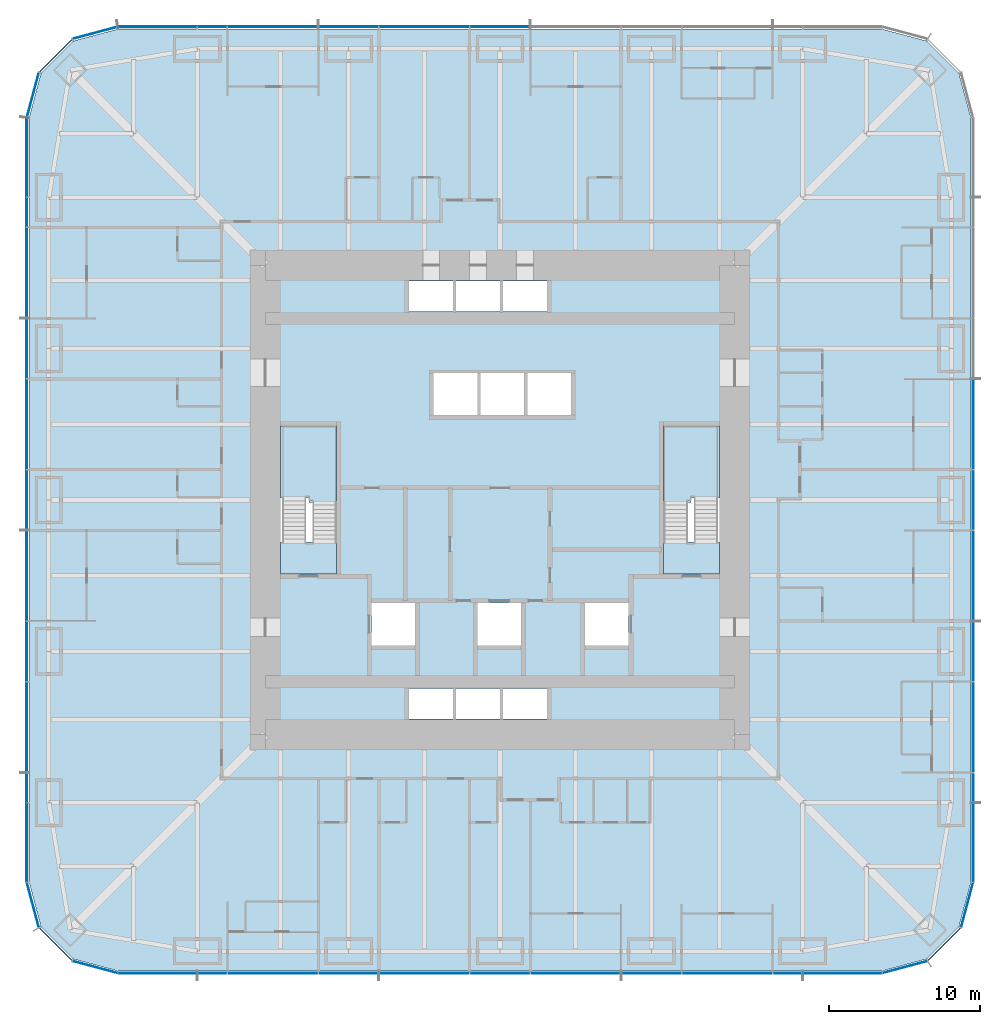
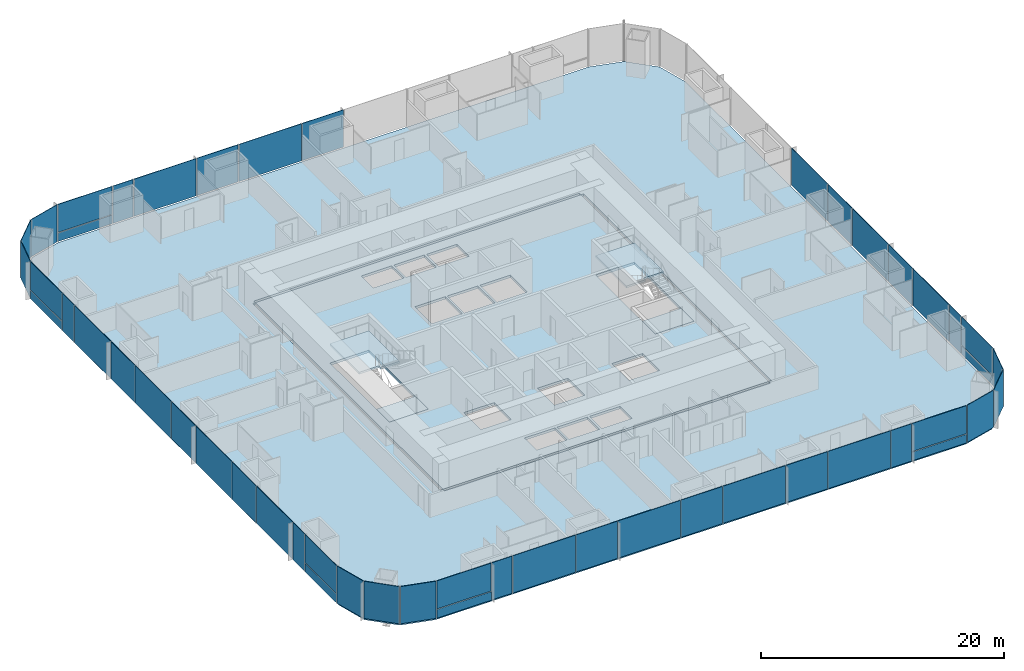
# One storey, part 10 of 16: 50 plates, 6 slabs, 9 elements without a shape of their own.
"""IFC4 building model written with IfcOpenShell, lengths in metres."""

from ifc_helpers import new_model, si_unit, direction, frame, origin, origin_2d, place, context, subcontext, project, spatial, polyline, rectangle, outline, extrude, material, layer, layer_set, type_object, element, aggregate, save


model = new_model("IFC4")

# Units and contexts
model_context = context("Model", 3, precision=1e-05, world=origin(), true_north=direction((0.0, 1.0)))
body_context = subcontext(model_context, "Body", "Model", "MODEL_VIEW")
ifc_project = project(units=[si_unit("LENGTHUNIT", "METRE"), si_unit("AREAUNIT", "SQUARE_METRE"), si_unit("VOLUMEUNIT", "CUBIC_METRE"), si_unit("PLANEANGLEUNIT", "RADIAN"), si_unit("MASSUNIT", "GRAM", prefix="KILO")], contexts=[model_context])

# Site, building, storey
site_placement = place(None, origin())
site = spatial("IfcSite", under=ifc_project, at=site_placement, CompositionType="ELEMENT")
building_placement = place(site_placement, origin())
building = spatial("IfcBuilding", under=site, at=building_placement, Name="Khuree Lantern Residences", CompositionType="ELEMENT")
storey_placement = place(building_placement, frame((0.0, 0.0, 69.75)))
storey = spatial("IfcBuildingStorey", under=building, at=storey_placement, Name="L17", CompositionType="ELEMENT", Elevation=69.75)

# Slab
ifc_material_1 = material(Name="Concrete C35/45", Category="concrete")
ifc_layer_1 = layer(ifc_material_1, 0.25)
ifc_layer_set_1 = layer_set([ifc_layer_1], Name="CFL250 CORE FLOOR SLAB 250")
slab_type_1 = type_object("IfcSlabType", Name="CFL250 CORE FLOOR SLAB 250", PredefinedType="FLOOR", material=ifc_layer_set_1)
slab_1_placement = place(storey_placement, frame((0.0, 0.0, -0.25)))
element("IfcSlab", 1, at=slab_1_placement, inside=storey, type_object=slab_type_1, Name="Core floor L17", PredefinedType="FLOOR", context=body_context, shape_type="SweptSolid", body=[
    extrude(outline(polyline([(-15.5, -15.5), (-15.5, 15.5), (15.5, 15.5), (15.5, -15.5), (-15.5, -15.5)]), holes=[polyline([(14.5, 4.89990234375), (10.800048828125, 4.89990234375), (10.800048828125, -4.89990234375), (14.5, -4.89990234375), (14.5, 4.89990234375)]), polyline([(8.5, -6.800048828125), (5.60009765625, -6.800048828125), (5.60009765625, -9.60009765625), (8.5, -9.60009765625), (8.5, -6.800048828125)]), polyline([(4.699951171875, 8.39990234375), (1.800048828125, 8.39990234375), (1.800048828125, 5.60009765625), (4.699951171875, 5.60009765625), (4.699951171875, 8.39990234375)]), polyline([(0.199951171875, -12.449951171875), (0.199951171875, -14.449951171875), (3.10009765625, -14.449951171875), (3.10009765625, -12.449951171875), (0.199951171875, -12.449951171875)]), polyline([(3.10009765625, 14.449951171875), (0.199951171875, 14.449951171875), (0.199951171875, 12.449951171875), (3.10009765625, 12.449951171875), (3.10009765625, 14.449951171875)]), polyline([(1.60009765625, 8.39990234375), (-1.300048828125, 8.39990234375), (-1.300048828125, 5.60009765625), (1.60009765625, 5.60009765625), (1.60009765625, 8.39990234375)]), polyline([(1.39990234375, -6.800048828125), (-1.5, -6.800048828125), (-1.5, -9.60009765625), (1.39990234375, -9.60009765625), (1.39990234375, -6.800048828125)]), polyline([(0.0, -12.449951171875), (-2.89990234375, -12.449951171875), (-2.89990234375, -14.449951171875), (0.0, -14.449951171875), (0.0, -12.449951171875)]), polyline([(0.0, 14.449951171875), (-2.89990234375, 14.449951171875), (-2.89990234375, 12.449951171875), (0.0, 12.449951171875), (0.0, 14.449951171875)]), polyline([(-1.5, 8.39990234375), (-4.39990234375, 8.39990234375), (-4.39990234375, 5.60009765625), (-1.5, 5.60009765625), (-1.5, 8.39990234375)]), polyline([(-6.0, -12.449951171875), (-6.0, -14.449951171875), (-3.10009765625, -14.449951171875), (-3.10009765625, -12.449951171875), (-6.0, -12.449951171875)]), polyline([(-3.10009765625, 14.449951171875), (-6.0, 14.449951171875), (-6.0, 12.449951171875), (-3.10009765625, 12.449951171875), (-3.10009765625, 14.449951171875)]), polyline([(-5.60009765625, -6.800048828125), (-8.5, -6.800048828125), (-8.5, -9.60009765625), (-5.60009765625, -9.60009765625), (-5.60009765625, -6.800048828125)]), polyline([(-10.800048828125, 4.89990234375), (-14.5, 4.89990234375), (-14.5, -4.89990234375), (-10.800048828125, -4.89990234375), (-10.800048828125, 4.89990234375)])]), origin(), (0.0, 0.0, 1.0), 0.25),
])

# Curtain wall, plates
ifc_material_2 = material(Name="Bronze anodised aluminium", Category="aluminium")
curtain_wall_type_1 = type_object("IfcCurtainWallType", Name="CW-T2 TOWER CORNER CURTAIN WALL", PredefinedType="USERDEFINED", material=ifc_material_2)
curtain_wall_1_placement = place(storey_placement, origin())
curtain_wall_1 = element("IfcCurtainWall", 2, at=curtain_wall_1_placement, inside=storey, type_object=curtain_wall_type_1, Name="L17 SOUTH-EAST CORNER CURTAIN WALL", ObjectType="Faceted corner curtain wall", PredefinedType="USERDEFINED")
ifc_material_3 = material(Name="Bronze tinted triple glazing", Category="glass")
ifc_layer_2 = layer(ifc_material_3, 0.048095703125)
ifc_layer_set_2 = layer_set([ifc_layer_2], Name="FACET PANEL P4")
plate_type_1 = type_object("IfcPlateType", Name="FACET PANEL P4", PredefinedType="CURTAIN_PANEL", material=ifc_layer_set_2)
plate_1_placement = place(storey_placement, frame((26.748046875, -30.8486328125, 0.0), z_axis=(0.0, 0.0, 1.0), x_axis=(0.965925792265, 0.258819172081, 0.0)))
plate_1 = element("IfcPlate", 3, at=plate_1_placement, type_object=plate_type_1, Name="L17 SOUTH-EAST CORNER PANEL 1.1", PredefinedType="CURTAIN_PANEL", context=body_context, shape_type="SweptSolid", body=[
    extrude(rectangle(XDim=3.02978515625, YDim=0.048095703125, at=origin_2d()), origin(), (0.0, 0.0, 1.0), 3.75),
])
plate_2_placement = place(storey_placement, frame((29.34814453125, -29.34814453125, 0.0), z_axis=(0.0, 0.0, 1.0), x_axis=(0.707106781187, 0.707106781187, 0.0)))
plate_2 = element("IfcPlate", 4, at=plate_2_placement, type_object=plate_type_1, Name="L17 SOUTH-EAST CORNER PANEL 2.1", PredefinedType="CURTAIN_PANEL", context=body_context, shape_type="SweptSolid", body=[
    extrude(rectangle(XDim=3.025634765625, YDim=0.048095703125, at=origin_2d()), origin(), (0.0, 0.0, 1.0), 3.75),
])
plate_3_placement = place(storey_placement, frame((30.8486328125, -26.748046875, 0.0), z_axis=(0.0, 0.0, 1.0), x_axis=(0.258819172081, 0.965925792265, 0.0)))
plate_3 = element("IfcPlate", 5, at=plate_3_placement, type_object=plate_type_1, Name="L17 SOUTH-EAST CORNER PANEL 3.1", PredefinedType="CURTAIN_PANEL", context=body_context, shape_type="SweptSolid", body=[
    extrude(rectangle(XDim=3.02978515625, YDim=0.048095703125, at=origin_2d()), origin(), (0.0, 0.0, 1.0), 3.75),
])
aggregate(curtain_wall_1, [plate_1, plate_2, plate_3])

curtain_wall_2_placement = place(storey_placement, origin())
curtain_wall_2 = element("IfcCurtainWall", 6, at=curtain_wall_2_placement, inside=storey, type_object=curtain_wall_type_1, Name="L17 NORTH-WEST CORNER CURTAIN WALL", ObjectType="Faceted corner curtain wall", PredefinedType="USERDEFINED")
plate_4_placement = place(storey_placement, frame((-26.748046875, 30.8486328125, 0.0), z_axis=(0.0, 0.0, 1.0), x_axis=(-0.965925792265, -0.258819172081, 0.0)))
plate_4 = element("IfcPlate", 7, at=plate_4_placement, type_object=plate_type_1, Name="L17 NORTH-WEST CORNER PANEL 29.1", PredefinedType="CURTAIN_PANEL", context=body_context, shape_type="SweptSolid", body=[
    extrude(rectangle(XDim=3.02978515625, YDim=0.048095703125, at=origin_2d()), origin(), (0.0, 0.0, 1.0), 3.75),
])
plate_5_placement = place(storey_placement, frame((-29.34814453125, 29.34814453125, 0.0), z_axis=(0.0, 0.0, 1.0), x_axis=(-0.707106781187, -0.707106781187, 0.0)))
plate_5 = element("IfcPlate", 8, at=plate_5_placement, type_object=plate_type_1, Name="L17 NORTH-WEST CORNER PANEL 30.1", PredefinedType="CURTAIN_PANEL", context=body_context, shape_type="SweptSolid", body=[
    extrude(rectangle(XDim=3.025634765625, YDim=0.048095703125, at=origin_2d()), origin(), (0.0, 0.0, 1.0), 3.75),
])
plate_6_placement = place(storey_placement, frame((-30.8486328125, 26.748046875, 0.0), z_axis=(0.0, 0.0, 1.0), x_axis=(-0.258819172081, -0.965925792265, 0.0)))
plate_6 = element("IfcPlate", 9, at=plate_6_placement, type_object=plate_type_1, Name="L17 NORTH-WEST CORNER PANEL 31.1", PredefinedType="CURTAIN_PANEL", context=body_context, shape_type="SweptSolid", body=[
    extrude(rectangle(XDim=3.02978515625, YDim=0.048095703125, at=origin_2d()), origin(), (0.0, 0.0, 1.0), 3.75),
])
aggregate(curtain_wall_2, [plate_4, plate_5, plate_6])

curtain_wall_3_placement = place(storey_placement, origin())
curtain_wall_3 = element("IfcCurtainWall", 10, at=curtain_wall_3_placement, inside=storey, type_object=curtain_wall_type_1, Name="L17 SOUTH-WEST CORNER CURTAIN WALL", ObjectType="Faceted corner curtain wall", PredefinedType="USERDEFINED")
plate_7_placement = place(storey_placement, frame((-30.8486328125, -26.748046875, 0.0), z_axis=(0.0, 0.0, 1.0), x_axis=(0.258819172081, -0.965925792265, 0.0)))
plate_7 = element("IfcPlate", 11, at=plate_7_placement, type_object=plate_type_1, Name="L17 SOUTH-WEST CORNER PANEL 43.1", PredefinedType="CURTAIN_PANEL", context=body_context, shape_type="SweptSolid", body=[
    extrude(rectangle(XDim=3.02978515625, YDim=0.048095703125, at=origin_2d()), origin(), (0.0, 0.0, 1.0), 3.75),
])
plate_8_placement = place(storey_placement, frame((-29.34814453125, -29.34814453125, 0.0), z_axis=(0.0, 0.0, 1.0), x_axis=(0.707106781187, -0.707106781187, 0.0)))
plate_8 = element("IfcPlate", 12, at=plate_8_placement, type_object=plate_type_1, Name="L17 SOUTH-WEST CORNER PANEL 44.1", PredefinedType="CURTAIN_PANEL", context=body_context, shape_type="SweptSolid", body=[
    extrude(rectangle(XDim=3.025634765625, YDim=0.048095703125, at=origin_2d()), origin(), (0.0, 0.0, 1.0), 3.75),
])
plate_9_placement = place(storey_placement, frame((-26.748046875, -30.8486328125, 0.0), z_axis=(0.0, 0.0, 1.0), x_axis=(0.965925792265, -0.258819172081, 0.0)))
plate_9 = element("IfcPlate", 13, at=plate_9_placement, type_object=plate_type_1, Name="L17 SOUTH-WEST CORNER PANEL 45.1", PredefinedType="CURTAIN_PANEL", context=body_context, shape_type="SweptSolid", body=[
    extrude(rectangle(XDim=3.02978515625, YDim=0.048095703125, at=origin_2d()), origin(), (0.0, 0.0, 1.0), 3.75),
])
aggregate(curtain_wall_3, [plate_7, plate_8, plate_9])

curtain_wall_type_2 = type_object("IfcCurtainWallType", Name="CW-T1 TOWER FACE CURTAIN WALL", PredefinedType="USERDEFINED", material=ifc_material_2)
curtain_wall_4_placement = place(storey_placement, origin())
curtain_wall_4 = element("IfcCurtainWall", 14, at=curtain_wall_4_placement, inside=storey, type_object=curtain_wall_type_2, Name="L17 EAST FACE CURTAIN WALL", ObjectType="Stick-built curtain wall", PredefinedType="USERDEFINED")
ifc_material_4 = material(Name="Bronze tinted triple glazing with a ceramic-fritted spandrel band", Category="glass")
ifc_layer_3 = layer(ifc_material_4, 0.048095703125)
ifc_layer_set_3 = layer_set([ifc_layer_3], Name="FIXED LIGHT PANEL P11")
plate_type_2 = type_object("IfcPlateType", Name="FIXED LIGHT PANEL P11", PredefinedType="CURTAIN_PANEL", material=ifc_layer_set_3)
plate_10_placement = place(storey_placement, frame((31.25, -15.0, 0.0), z_axis=(0.0, 0.0, 1.0), x_axis=(0.0, 1.0, 0.0)))
plate_10 = element("IfcPlate", 15, at=plate_10_placement, type_object=plate_type_2, Name="L17 EAST FACE PANEL 6.1", PredefinedType="CURTAIN_PANEL", context=body_context, shape_type="SweptSolid", body=[
    extrude(rectangle(XDim=5.93505859375, YDim=0.048095703125, at=origin_2d()), origin(), (0.0, 0.0, 1.0), 3.75),
])
plate_11_placement = place(storey_placement, frame((31.25, -5.0, 0.0), z_axis=(0.0, 0.0, 1.0), x_axis=(0.0, 1.0, 0.0)))
plate_11 = element("IfcPlate", 16, at=plate_11_placement, type_object=plate_type_2, Name="L17 EAST FACE PANEL 8.1", PredefinedType="CURTAIN_PANEL", context=body_context, shape_type="SweptSolid", body=[
    extrude(rectangle(XDim=5.93505859375, YDim=0.048095703125, at=origin_2d()), origin(), (0.0, 0.0, 1.0), 3.75),
])
plate_12_placement = place(storey_placement, frame((31.25, 5.0, 0.0), z_axis=(0.0, 0.0, 1.0), x_axis=(0.0, 1.0, 0.0)))
plate_12 = element("IfcPlate", 17, at=plate_12_placement, type_object=plate_type_2, Name="L17 EAST FACE PANEL 10.1", PredefinedType="CURTAIN_PANEL", context=body_context, shape_type="SweptSolid", body=[
    extrude(rectangle(XDim=5.93505859375, YDim=0.048095703125, at=origin_2d()), origin(), (0.0, 0.0, 1.0), 3.75),
])

curtain_wall_5_placement = place(storey_placement, origin())
curtain_wall_5 = element("IfcCurtainWall", 18, at=curtain_wall_5_placement, inside=storey, type_object=curtain_wall_type_2, Name="L17 NORTH FACE CURTAIN WALL", ObjectType="Stick-built curtain wall", PredefinedType="USERDEFINED")
plate_13_placement = place(storey_placement, frame((-5.0, 31.25, 0.0), z_axis=(0.0, 0.0, 1.0), x_axis=(-1.0, 0.0, 0.0)))
plate_13 = element("IfcPlate", 19, at=plate_13_placement, type_object=plate_type_2, Name="L17 NORTH FACE PANEL 24.1", PredefinedType="CURTAIN_PANEL", context=body_context, shape_type="SweptSolid", body=[
    extrude(rectangle(XDim=5.93505859375, YDim=0.048095703125, at=origin_2d()), origin(), (0.0, 0.0, 1.0), 3.75),
])
plate_14_placement = place(storey_placement, frame((-15.0, 31.25, 0.0), z_axis=(0.0, 0.0, 1.0), x_axis=(-1.0, 0.0, 0.0)))
plate_14 = element("IfcPlate", 20, at=plate_14_placement, type_object=plate_type_2, Name="L17 NORTH FACE PANEL 26.1", PredefinedType="CURTAIN_PANEL", context=body_context, shape_type="SweptSolid", body=[
    extrude(rectangle(XDim=5.93505859375, YDim=0.048095703125, at=origin_2d()), origin(), (0.0, 0.0, 1.0), 3.75),
])

curtain_wall_6_placement = place(storey_placement, origin())
curtain_wall_6 = element("IfcCurtainWall", 21, at=curtain_wall_6_placement, inside=storey, type_object=curtain_wall_type_2, Name="L17 WEST FACE CURTAIN WALL", ObjectType="Stick-built curtain wall", PredefinedType="USERDEFINED")
plate_15_placement = place(storey_placement, frame((-31.25, 15.0, 0.0), z_axis=(0.0, 0.0, 1.0), x_axis=(0.0, -1.0, 0.0)))
plate_15 = element("IfcPlate", 22, at=plate_15_placement, type_object=plate_type_2, Name="L17 WEST FACE PANEL 34.1", PredefinedType="CURTAIN_PANEL", context=body_context, shape_type="SweptSolid", body=[
    extrude(rectangle(XDim=5.93505859375, YDim=0.048095703125, at=origin_2d()), origin(), (0.0, 0.0, 1.0), 3.75),
])
plate_16_placement = place(storey_placement, frame((-31.25, 5.0, 0.0), z_axis=(0.0, 0.0, 1.0), x_axis=(0.0, -1.0, 0.0)))
plate_16 = element("IfcPlate", 23, at=plate_16_placement, type_object=plate_type_2, Name="L17 WEST FACE PANEL 36.1", PredefinedType="CURTAIN_PANEL", context=body_context, shape_type="SweptSolid", body=[
    extrude(rectangle(XDim=5.93505859375, YDim=0.048095703125, at=origin_2d()), origin(), (0.0, 0.0, 1.0), 3.75),
])
plate_17_placement = place(storey_placement, frame((-31.25, -5.0, 0.0), z_axis=(0.0, 0.0, 1.0), x_axis=(0.0, -1.0, 0.0)))
plate_17 = element("IfcPlate", 24, at=plate_17_placement, type_object=plate_type_2, Name="L17 WEST FACE PANEL 38.1", PredefinedType="CURTAIN_PANEL", context=body_context, shape_type="SweptSolid", body=[
    extrude(rectangle(XDim=5.93505859375, YDim=0.048095703125, at=origin_2d()), origin(), (0.0, 0.0, 1.0), 3.75),
])
plate_18_placement = place(storey_placement, frame((-31.25, -15.0, 0.0), z_axis=(0.0, 0.0, 1.0), x_axis=(0.0, -1.0, 0.0)))
plate_18 = element("IfcPlate", 25, at=plate_18_placement, type_object=plate_type_2, Name="L17 WEST FACE PANEL 40.1", PredefinedType="CURTAIN_PANEL", context=body_context, shape_type="SweptSolid", body=[
    extrude(rectangle(XDim=5.93505859375, YDim=0.048095703125, at=origin_2d()), origin(), (0.0, 0.0, 1.0), 3.75),
])

curtain_wall_7_placement = place(storey_placement, origin())
curtain_wall_7 = element("IfcCurtainWall", 26, at=curtain_wall_7_placement, inside=storey, type_object=curtain_wall_type_2, Name="L17 SOUTH FACE CURTAIN WALL", ObjectType="Stick-built curtain wall", PredefinedType="USERDEFINED")
plate_19_placement = place(storey_placement, frame((-15.0, -31.25, 0.0), z_axis=(0.0, 0.0, 1.0), x_axis=(1.0, 0.0, 0.0)))
plate_19 = element("IfcPlate", 27, at=plate_19_placement, type_object=plate_type_2, Name="L17 SOUTH FACE PANEL 48.1", PredefinedType="CURTAIN_PANEL", context=body_context, shape_type="SweptSolid", body=[
    extrude(rectangle(XDim=5.93505859375, YDim=0.048095703125, at=origin_2d()), origin(), (0.0, 0.0, 1.0), 3.75),
])
plate_20_placement = place(storey_placement, frame((-5.0, -31.25, 0.0), z_axis=(0.0, 0.0, 1.0), x_axis=(1.0, 0.0, 0.0)))
plate_20 = element("IfcPlate", 28, at=plate_20_placement, type_object=plate_type_2, Name="L17 SOUTH FACE PANEL 50.1", PredefinedType="CURTAIN_PANEL", context=body_context, shape_type="SweptSolid", body=[
    extrude(rectangle(XDim=5.93505859375, YDim=0.048095703125, at=origin_2d()), origin(), (0.0, 0.0, 1.0), 3.75),
])
plate_21_placement = place(storey_placement, frame((5.0, -31.25, 0.0), z_axis=(0.0, 0.0, 1.0), x_axis=(1.0, 0.0, 0.0)))
plate_21 = element("IfcPlate", 29, at=plate_21_placement, type_object=plate_type_2, Name="L17 SOUTH FACE PANEL 52.1", PredefinedType="CURTAIN_PANEL", context=body_context, shape_type="SweptSolid", body=[
    extrude(rectangle(XDim=5.93505859375, YDim=0.048095703125, at=origin_2d()), origin(), (0.0, 0.0, 1.0), 3.75),
])
plate_22_placement = place(storey_placement, frame((15.0, -31.25, 0.0), z_axis=(0.0, 0.0, 1.0), x_axis=(1.0, 0.0, 0.0)))
plate_22 = element("IfcPlate", 30, at=plate_22_placement, type_object=plate_type_2, Name="L17 SOUTH FACE PANEL 54.1", PredefinedType="CURTAIN_PANEL", context=body_context, shape_type="SweptSolid", body=[
    extrude(rectangle(XDim=5.93505859375, YDim=0.048095703125, at=origin_2d()), origin(), (0.0, 0.0, 1.0), 3.75),
])

# Slab
ifc_layer_4 = layer(ifc_material_1, 0.25)
ifc_layer_set_4 = layer_set([ifc_layer_4], Name="FS250 FLOOR SLAB 250")
slab_type_2 = type_object("IfcSlabType", Name="FS250 FLOOR SLAB 250", PredefinedType="FLOOR", material=ifc_layer_set_4)
slab_2_placement = place(storey_placement, frame((0.0, 0.0, -0.25)))
element("IfcSlab", 31, at=slab_2_placement, inside=storey, type_object=slab_type_2, Name="Floor slab L17", PredefinedType="FLOOR", context=body_context, shape_type="SweptSolid", body=[
    extrude(outline(polyline([(-28.175048828125, -30.316162109375), (-30.316162109375, -28.175048828125), (-31.10009765625, -25.25), (-31.10009765625, 25.25), (-30.316162109375, 28.175048828125), (-28.175048828125, 30.316162109375), (-25.25, 31.10009765625), (25.25, 31.10009765625), (28.175048828125, 30.316162109375), (30.316162109375, 28.175048828125), (31.10009765625, 25.25), (31.10009765625, -25.25), (30.316162109375, -28.175048828125), (28.175048828125, -30.316162109375), (25.25, -31.10009765625), (-25.25, -31.10009765625), (-28.175048828125, -30.316162109375)]), holes=[polyline([(15.75, 15.5), (15.5, 15.5), (15.5, 15.75), (-15.5, 15.75), (-15.5, 15.5), (-15.75, 15.5), (-15.75, -15.5), (-15.5, -15.5), (-15.5, -15.75), (15.5, -15.75), (15.5, -15.5), (15.75, -15.5), (15.75, 15.5)])]), origin(), (0.0, 0.0, 1.0), 0.25),
])

# Plate
ifc_material_5 = material(Name="Bronze tinted triple glazing, two aluminium-framed sashes in one frame", Category="aluminium")
ifc_layer_5 = layer(ifc_material_5, 0.048095703125)
ifc_layer_set_5 = layer_set([ifc_layer_5], Name="SASH PAIR PANEL P12")
plate_type_3 = type_object("IfcPlateType", Name="SASH PAIR PANEL P12", PredefinedType="CURTAIN_PANEL", material=ifc_layer_set_5)
plate_23_placement = place(storey_placement, frame((31.25, -10.0, 0.0), z_axis=(0.0, 0.0, 1.0), x_axis=(0.0, 1.0, 0.0)))
plate_23 = element("IfcPlate", 32, at=plate_23_placement, type_object=plate_type_3, Name="L17 EAST FACE PANEL 7.1", PredefinedType="CURTAIN_PANEL", context=body_context, shape_type="SweptSolid", body=[
    extrude(rectangle(XDim=3.93505859375, YDim=0.048095703125, at=origin_2d()), origin(), (0.0, 0.0, 1.0), 3.75),
])

plate_24_placement = place(storey_placement, frame((31.25, 0.0, 0.0), z_axis=(0.0, 0.0, 1.0), x_axis=(0.0, 1.0, 0.0)))
plate_24 = element("IfcPlate", 33, at=plate_24_placement, type_object=plate_type_3, Name="L17 EAST FACE PANEL 9.1", PredefinedType="CURTAIN_PANEL", context=body_context, shape_type="SweptSolid", body=[
    extrude(rectangle(XDim=3.93505859375, YDim=0.048095703125, at=origin_2d()), origin(), (0.0, 0.0, 1.0), 3.75),
])

plate_25_placement = place(storey_placement, frame((0.0, 31.25, 0.0), z_axis=(0.0, 0.0, 1.0), x_axis=(-1.0, 0.0, 0.0)))
plate_25 = element("IfcPlate", 34, at=plate_25_placement, type_object=plate_type_3, Name="L17 NORTH FACE PANEL 23.1", PredefinedType="CURTAIN_PANEL", context=body_context, shape_type="SweptSolid", body=[
    extrude(rectangle(XDim=3.93505859375, YDim=0.048095703125, at=origin_2d()), origin(), (0.0, 0.0, 1.0), 3.75),
])

plate_26_placement = place(storey_placement, frame((-10.0, 31.25, 0.0), z_axis=(0.0, 0.0, 1.0), x_axis=(-1.0, 0.0, 0.0)))
plate_26 = element("IfcPlate", 35, at=plate_26_placement, type_object=plate_type_3, Name="L17 NORTH FACE PANEL 25.1", PredefinedType="CURTAIN_PANEL", context=body_context, shape_type="SweptSolid", body=[
    extrude(rectangle(XDim=3.93505859375, YDim=0.048095703125, at=origin_2d()), origin(), (0.0, 0.0, 1.0), 3.75),
])

plate_27_placement = place(storey_placement, frame((-31.25, 10.0, 0.0), z_axis=(0.0, 0.0, 1.0), x_axis=(0.0, -1.0, 0.0)))
plate_27 = element("IfcPlate", 36, at=plate_27_placement, type_object=plate_type_3, Name="L17 WEST FACE PANEL 35.1", PredefinedType="CURTAIN_PANEL", context=body_context, shape_type="SweptSolid", body=[
    extrude(rectangle(XDim=3.93505859375, YDim=0.048095703125, at=origin_2d()), origin(), (0.0, 0.0, 1.0), 3.75),
])

plate_28_placement = place(storey_placement, frame((-31.25, 0.0, 0.0), z_axis=(0.0, 0.0, 1.0), x_axis=(0.0, -1.0, 0.0)))
plate_28 = element("IfcPlate", 37, at=plate_28_placement, type_object=plate_type_3, Name="L17 WEST FACE PANEL 37.1", PredefinedType="CURTAIN_PANEL", context=body_context, shape_type="SweptSolid", body=[
    extrude(rectangle(XDim=3.93505859375, YDim=0.048095703125, at=origin_2d()), origin(), (0.0, 0.0, 1.0), 3.75),
])

plate_29_placement = place(storey_placement, frame((-31.25, -10.0, 0.0), z_axis=(0.0, 0.0, 1.0), x_axis=(0.0, -1.0, 0.0)))
plate_29 = element("IfcPlate", 38, at=plate_29_placement, type_object=plate_type_3, Name="L17 WEST FACE PANEL 39.1", PredefinedType="CURTAIN_PANEL", context=body_context, shape_type="SweptSolid", body=[
    extrude(rectangle(XDim=3.93505859375, YDim=0.048095703125, at=origin_2d()), origin(), (0.0, 0.0, 1.0), 3.75),
])

plate_30_placement = place(storey_placement, frame((-10.0, -31.25, 0.0), z_axis=(0.0, 0.0, 1.0), x_axis=(1.0, 0.0, 0.0)))
plate_30 = element("IfcPlate", 39, at=plate_30_placement, type_object=plate_type_3, Name="L17 SOUTH FACE PANEL 49.1", PredefinedType="CURTAIN_PANEL", context=body_context, shape_type="SweptSolid", body=[
    extrude(rectangle(XDim=3.93505859375, YDim=0.048095703125, at=origin_2d()), origin(), (0.0, 0.0, 1.0), 3.75),
])

plate_31_placement = place(storey_placement, frame((0.0, -31.25, 0.0), z_axis=(0.0, 0.0, 1.0), x_axis=(1.0, 0.0, 0.0)))
plate_31 = element("IfcPlate", 40, at=plate_31_placement, type_object=plate_type_3, Name="L17 SOUTH FACE PANEL 51.1", PredefinedType="CURTAIN_PANEL", context=body_context, shape_type="SweptSolid", body=[
    extrude(rectangle(XDim=3.93505859375, YDim=0.048095703125, at=origin_2d()), origin(), (0.0, 0.0, 1.0), 3.75),
])

plate_32_placement = place(storey_placement, frame((10.0, -31.25, 0.0), z_axis=(0.0, 0.0, 1.0), x_axis=(1.0, 0.0, 0.0)))
plate_32 = element("IfcPlate", 41, at=plate_32_placement, type_object=plate_type_3, Name="L17 SOUTH FACE PANEL 53.1", PredefinedType="CURTAIN_PANEL", context=body_context, shape_type="SweptSolid", body=[
    extrude(rectangle(XDim=3.93505859375, YDim=0.048095703125, at=origin_2d()), origin(), (0.0, 0.0, 1.0), 3.75),
])

ifc_material_6 = material(Name="Bronze tinted triple glazing, aluminium-framed sash", Category="aluminium")
ifc_layer_6 = layer(ifc_material_6, 0.048095703125)
ifc_layer_set_6 = layer_set([ifc_layer_6], Name="SASH PANEL P3")
plate_type_4 = type_object("IfcPlateType", Name="SASH PANEL P3", PredefinedType="CURTAIN_PANEL", material=ifc_layer_set_6)
plate_33_placement = place(storey_placement, frame((31.25, -19.0, 0.0), z_axis=(0.0, 0.0, 1.0), x_axis=(0.0, 1.0, 0.0)))
plate_33 = element("IfcPlate", 42, at=plate_33_placement, type_object=plate_type_4, Name="L17 EAST FACE PANEL 5.1", PredefinedType="CURTAIN_PANEL", context=body_context, shape_type="SweptSolid", body=[
    extrude(rectangle(XDim=1.93505859375, YDim=0.048095703125, at=origin_2d()), origin(), (0.0, 0.0, 1.0), 3.75),
])

plate_34_placement = place(storey_placement, frame((-19.0, 31.25, 0.0), z_axis=(0.0, 0.0, 1.0), x_axis=(-1.0, 0.0, 0.0)))
plate_34 = element("IfcPlate", 43, at=plate_34_placement, type_object=plate_type_4, Name="L17 NORTH FACE PANEL 27.1", PredefinedType="CURTAIN_PANEL", context=body_context, shape_type="SweptSolid", body=[
    extrude(rectangle(XDim=1.93505859375, YDim=0.048095703125, at=origin_2d()), origin(), (0.0, 0.0, 1.0), 3.75),
])

plate_35_placement = place(storey_placement, frame((-31.25, 19.0, 0.0), z_axis=(0.0, 0.0, 1.0), x_axis=(0.0, -1.0, 0.0)))
plate_35 = element("IfcPlate", 44, at=plate_35_placement, type_object=plate_type_4, Name="L17 WEST FACE PANEL 33.1", PredefinedType="CURTAIN_PANEL", context=body_context, shape_type="SweptSolid", body=[
    extrude(rectangle(XDim=1.93505859375, YDim=0.048095703125, at=origin_2d()), origin(), (0.0, 0.0, 1.0), 3.75),
])

plate_36_placement = place(storey_placement, frame((-31.25, -19.0, 0.0), z_axis=(0.0, 0.0, 1.0), x_axis=(0.0, -1.0, 0.0)))
plate_36 = element("IfcPlate", 45, at=plate_36_placement, type_object=plate_type_4, Name="L17 WEST FACE PANEL 41.1", PredefinedType="CURTAIN_PANEL", context=body_context, shape_type="SweptSolid", body=[
    extrude(rectangle(XDim=1.93505859375, YDim=0.048095703125, at=origin_2d()), origin(), (0.0, 0.0, 1.0), 3.75),
])

plate_37_placement = place(storey_placement, frame((-19.0, -31.25, 0.0), z_axis=(0.0, 0.0, 1.0), x_axis=(1.0, 0.0, 0.0)))
plate_37 = element("IfcPlate", 46, at=plate_37_placement, type_object=plate_type_4, Name="L17 SOUTH FACE PANEL 47.1", PredefinedType="CURTAIN_PANEL", context=body_context, shape_type="SweptSolid", body=[
    extrude(rectangle(XDim=1.93505859375, YDim=0.048095703125, at=origin_2d()), origin(), (0.0, 0.0, 1.0), 3.75),
])

plate_38_placement = place(storey_placement, frame((19.0, -31.25, 0.0), z_axis=(0.0, 0.0, 1.0), x_axis=(1.0, 0.0, 0.0)))
plate_38 = element("IfcPlate", 47, at=plate_38_placement, type_object=plate_type_4, Name="L17 SOUTH FACE PANEL 55.1", PredefinedType="CURTAIN_PANEL", context=body_context, shape_type="SweptSolid", body=[
    extrude(rectangle(XDim=1.93505859375, YDim=0.048095703125, at=origin_2d()), origin(), (0.0, 0.0, 1.0), 3.75),
])

ifc_material_7 = material(Name="Bronze anodised aluminium insulated spandrel", Category="aluminium")
ifc_layer_7 = layer(ifc_material_7, 0.06005859375)
ifc_layer_set_7 = layer_set([ifc_layer_7], Name="SPANDREL PANEL P2")
plate_type_5 = type_object("IfcPlateType", Name="SPANDREL PANEL P2", PredefinedType="CURTAIN_PANEL", material=ifc_layer_set_7)
plate_39_placement = place(storey_placement, frame((31.25, -22.622802734375, 0.0), z_axis=(0.0, 0.0, 1.0), x_axis=(0.0, 1.0, 0.0)))
plate_39 = element("IfcPlate", 48, at=plate_39_placement, type_object=plate_type_5, Name="L17 EAST FACE PANEL 4.1", PredefinedType="CURTAIN_PANEL", context=body_context, shape_type="SweptSolid", body=[
    extrude(rectangle(XDim=5.1806640625, YDim=0.06005859375, at=origin_2d()), origin(), (0.0, 0.0, 1.0), 0.867431640625),
])

plate_40_placement = place(storey_placement, frame((-22.622802734375, 31.25, 0.0), z_axis=(0.0, 0.0, 1.0), x_axis=(-1.0, 0.0, 0.0)))
plate_40 = element("IfcPlate", 49, at=plate_40_placement, type_object=plate_type_5, Name="L17 NORTH FACE PANEL 28.1", PredefinedType="CURTAIN_PANEL", context=body_context, shape_type="SweptSolid", body=[
    extrude(rectangle(XDim=5.1806640625, YDim=0.06005859375, at=origin_2d()), origin(), (0.0, 0.0, 1.0), 0.867431640625),
])

plate_41_placement = place(storey_placement, frame((-31.25, 22.622802734375, 0.0), z_axis=(0.0, 0.0, 1.0), x_axis=(0.0, -1.0, 0.0)))
plate_41 = element("IfcPlate", 50, at=plate_41_placement, type_object=plate_type_5, Name="L17 WEST FACE PANEL 32.1", PredefinedType="CURTAIN_PANEL", context=body_context, shape_type="SweptSolid", body=[
    extrude(rectangle(XDim=5.1806640625, YDim=0.06005859375, at=origin_2d()), origin(), (0.0, 0.0, 1.0), 0.867431640625),
])

plate_42_placement = place(storey_placement, frame((-31.25, -22.622802734375, 0.0), z_axis=(0.0, 0.0, 1.0), x_axis=(0.0, -1.0, 0.0)))
plate_42 = element("IfcPlate", 51, at=plate_42_placement, type_object=plate_type_5, Name="L17 WEST FACE PANEL 42.1", PredefinedType="CURTAIN_PANEL", context=body_context, shape_type="SweptSolid", body=[
    extrude(rectangle(XDim=5.1806640625, YDim=0.06005859375, at=origin_2d()), origin(), (0.0, 0.0, 1.0), 0.867431640625),
])

plate_43_placement = place(storey_placement, frame((-22.622802734375, -31.25, 0.0), z_axis=(0.0, 0.0, 1.0), x_axis=(1.0, 0.0, 0.0)))
plate_43 = element("IfcPlate", 52, at=plate_43_placement, type_object=plate_type_5, Name="L17 SOUTH FACE PANEL 46.1", PredefinedType="CURTAIN_PANEL", context=body_context, shape_type="SweptSolid", body=[
    extrude(rectangle(XDim=5.1806640625, YDim=0.06005859375, at=origin_2d()), origin(), (0.0, 0.0, 1.0), 0.867431640625),
])

plate_44_placement = place(storey_placement, frame((22.622802734375, -31.25, 0.0), z_axis=(0.0, 0.0, 1.0), x_axis=(1.0, 0.0, 0.0)))
plate_44 = element("IfcPlate", 53, at=plate_44_placement, type_object=plate_type_5, Name="L17 SOUTH FACE PANEL 56.1", PredefinedType="CURTAIN_PANEL", context=body_context, shape_type="SweptSolid", body=[
    extrude(rectangle(XDim=5.1806640625, YDim=0.06005859375, at=origin_2d()), origin(), (0.0, 0.0, 1.0), 0.867431640625),
])

# Stair, slabs
ifc_material_8 = material(Name="Concrete C40/50", Category="concrete")
stair_type = type_object("IfcStairType", Name="STAIR ST1 HALF TURN 3600", PredefinedType="HALF_TURN_STAIR", material=ifc_material_8)
stair_1_placement = place(storey_placement, origin())
stair_1 = element("IfcStair", 54, at=stair_1_placement, inside=storey, type_object=stair_type, Name="Stair ST1", PredefinedType="HALF_TURN_STAIR")
ifc_layer_8 = layer(ifc_material_8, 0.199951171875)
ifc_layer_set_8 = layer_set([ifc_layer_8], Name="STAIR LANDING SL1 200")
slab_type_3 = type_object("IfcSlabType", Name="STAIR LANDING SL1 200", PredefinedType="LANDING", material=ifc_layer_set_8)
slab_3_placement = place(storey_placement, frame((0.0, 0.0, -0.199951171875)))
slab_3 = element("IfcSlab", 55, at=slab_3_placement, type_object=slab_type_3, Name="ST1 landing 1", PredefinedType="LANDING", context=body_context, shape_type="SweptSolid", body=[
    extrude(outline(polyline([(-14.5, -4.89990234375), (-10.800048828125, -4.89990234375), (-10.800048828125, -2.760009765625), (-14.5, -2.760009765625), (-14.5, -4.89990234375)])), origin(), (0.0, 0.0, 1.0), 0.199951171875),
])
slab_4_placement = place(storey_placement, frame((0.0, 0.0, 1.756591796875)))
slab_4 = element("IfcSlab", 56, at=slab_4_placement, type_object=slab_type_3, Name="ST1 landing 2", PredefinedType="LANDING", context=body_context, shape_type="SweptSolid", body=[
    extrude(outline(polyline([(-14.5, 0.1201171875), (-14.5, 4.89990234375), (-10.800048828125, 4.89990234375), (-10.800048828125, -0.159912109375), (-12.60009765625, -0.159912109375), (-12.60009765625, 0.1201171875), (-14.5, 0.1201171875)])), origin(), (0.0, 0.0, 1.0), 0.199951171875),
])
aggregate(stair_1, [slab_3, slab_4])

stair_2_placement = place(storey_placement, origin())
stair_2 = element("IfcStair", 57, at=stair_2_placement, inside=storey, type_object=stair_type, Name="Stair ST2", PredefinedType="HALF_TURN_STAIR")
slab_5_placement = place(storey_placement, frame((0.0, 0.0, -0.199951171875)))
slab_5 = element("IfcSlab", 58, at=slab_5_placement, type_object=slab_type_3, Name="ST2 landing 1", PredefinedType="LANDING", context=body_context, shape_type="SweptSolid", body=[
    extrude(outline(polyline([(10.800048828125, -4.89990234375), (14.5, -4.89990234375), (14.5, -2.760009765625), (10.800048828125, -2.760009765625), (10.800048828125, -4.89990234375)])), origin(), (0.0, 0.0, 1.0), 0.199951171875),
])
slab_6_placement = place(storey_placement, frame((0.0, 0.0, 1.756591796875)))
slab_6 = element("IfcSlab", 59, at=slab_6_placement, type_object=slab_type_3, Name="ST2 landing 2", PredefinedType="LANDING", context=body_context, shape_type="SweptSolid", body=[
    extrude(outline(polyline([(14.5, 4.89990234375), (14.5, 0.1201171875), (12.60009765625, 0.1201171875), (12.60009765625, -0.159912109375), (10.800048828125, -0.159912109375), (10.800048828125, 4.89990234375), (14.5, 4.89990234375)])), origin(), (0.0, 0.0, 1.0), 0.199951171875),
])
aggregate(stair_2, [slab_5, slab_6])

# Plate
ifc_layer_9 = layer(ifc_material_3, 0.048095703125)
ifc_layer_set_9 = layer_set([ifc_layer_9], Name="VISION PANEL P1")
plate_type_6 = type_object("IfcPlateType", Name="VISION PANEL P1", PredefinedType="CURTAIN_PANEL", material=ifc_layer_set_9)
plate_45_placement = place(storey_placement, frame((31.25, -22.623291015625, 0.9326171875), z_axis=(0.0, 0.0, 1.0), x_axis=(0.0, 1.0, 0.0)))
plate_45 = element("IfcPlate", 60, at=plate_45_placement, type_object=plate_type_6, Name="L17 EAST FACE PANEL 4.2", PredefinedType="CURTAIN_PANEL", context=body_context, shape_type="SweptSolid", body=[
    extrude(rectangle(XDim=5.181640625, YDim=0.048095703125, at=origin_2d()), origin(), (0.0, 0.0, 1.0), 2.8173828125),
])

aggregate(curtain_wall_4, [plate_39, plate_45, plate_33, plate_10, plate_23, plate_11, plate_24, plate_12])

plate_46_placement = place(storey_placement, frame((-22.623291015625, 31.25, 0.9326171875), z_axis=(0.0, 0.0, 1.0), x_axis=(-1.0, 0.0, 0.0)))
plate_46 = element("IfcPlate", 61, at=plate_46_placement, type_object=plate_type_6, Name="L17 NORTH FACE PANEL 28.2", PredefinedType="CURTAIN_PANEL", context=body_context, shape_type="SweptSolid", body=[
    extrude(rectangle(XDim=5.181640625, YDim=0.048095703125, at=origin_2d()), origin(), (0.0, 0.0, 1.0), 2.8173828125),
])

aggregate(curtain_wall_5, [plate_25, plate_13, plate_26, plate_14, plate_34, plate_40, plate_46])

plate_47_placement = place(storey_placement, frame((-31.25, 22.623291015625, 0.9326171875), z_axis=(0.0, 0.0, 1.0), x_axis=(0.0, -1.0, 0.0)))
plate_47 = element("IfcPlate", 62, at=plate_47_placement, type_object=plate_type_6, Name="L17 WEST FACE PANEL 32.2", PredefinedType="CURTAIN_PANEL", context=body_context, shape_type="SweptSolid", body=[
    extrude(rectangle(XDim=5.181640625, YDim=0.048095703125, at=origin_2d()), origin(), (0.0, 0.0, 1.0), 2.8173828125),
])

plate_48_placement = place(storey_placement, frame((-31.25, -22.623291015625, 0.9326171875), z_axis=(0.0, 0.0, 1.0), x_axis=(0.0, -1.0, 0.0)))
plate_48 = element("IfcPlate", 63, at=plate_48_placement, type_object=plate_type_6, Name="L17 WEST FACE PANEL 42.2", PredefinedType="CURTAIN_PANEL", context=body_context, shape_type="SweptSolid", body=[
    extrude(rectangle(XDim=5.181640625, YDim=0.048095703125, at=origin_2d()), origin(), (0.0, 0.0, 1.0), 2.8173828125),
])

aggregate(curtain_wall_6, [plate_41, plate_47, plate_35, plate_15, plate_27, plate_16, plate_28, plate_17, plate_29, plate_18, plate_36, plate_42, plate_48])

plate_49_placement = place(storey_placement, frame((-22.623291015625, -31.25, 0.9326171875), z_axis=(0.0, 0.0, 1.0), x_axis=(1.0, 0.0, 0.0)))
plate_49 = element("IfcPlate", 64, at=plate_49_placement, type_object=plate_type_6, Name="L17 SOUTH FACE PANEL 46.2", PredefinedType="CURTAIN_PANEL", context=body_context, shape_type="SweptSolid", body=[
    extrude(rectangle(XDim=5.181640625, YDim=0.048095703125, at=origin_2d()), origin(), (0.0, 0.0, 1.0), 2.8173828125),
])

plate_50_placement = place(storey_placement, frame((22.623291015625, -31.25, 0.9326171875), z_axis=(0.0, 0.0, 1.0), x_axis=(1.0, 0.0, 0.0)))
plate_50 = element("IfcPlate", 65, at=plate_50_placement, type_object=plate_type_6, Name="L17 SOUTH FACE PANEL 56.2", PredefinedType="CURTAIN_PANEL", context=body_context, shape_type="SweptSolid", body=[
    extrude(rectangle(XDim=5.181640625, YDim=0.048095703125, at=origin_2d()), origin(), (0.0, 0.0, 1.0), 2.8173828125),
])

aggregate(curtain_wall_7, [plate_43, plate_49, plate_37, plate_19, plate_30, plate_20, plate_31, plate_21, plate_32, plate_22, plate_38, plate_44, plate_50])

save(model, "model.ifc")
